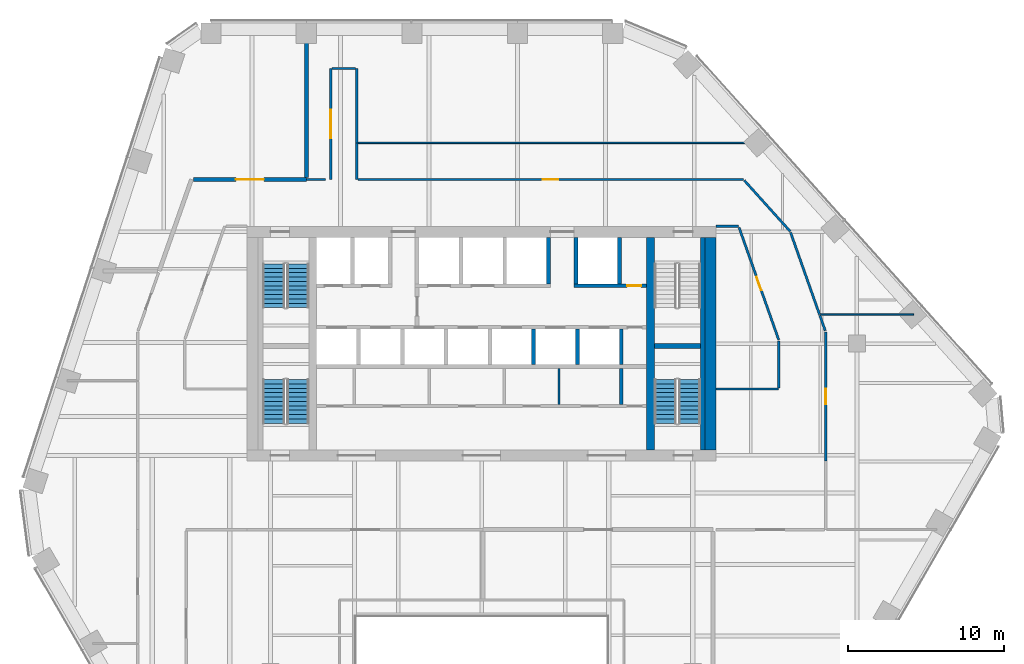
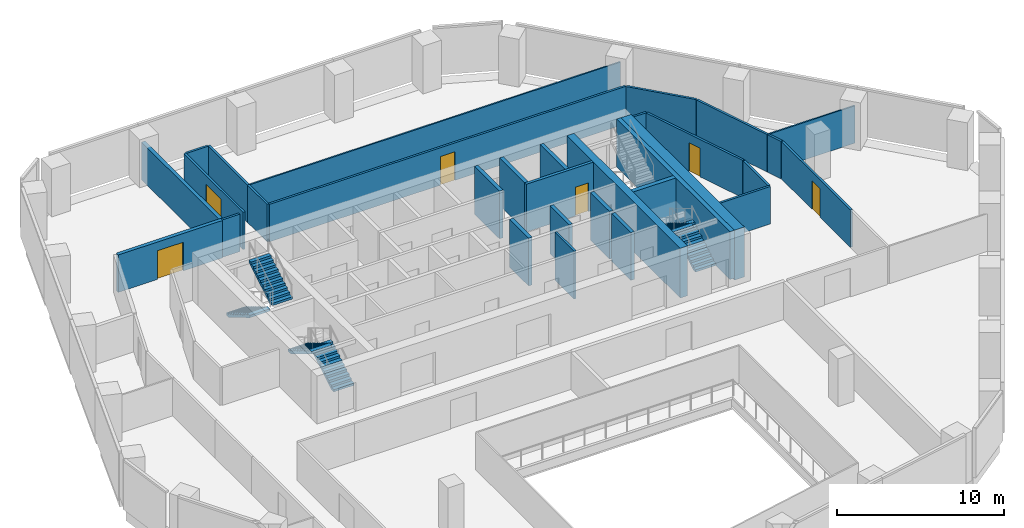
# One storey, part 13 of 17: 31 walls, 6 doors, 6 stair flights, 6 openings, 3 elements without a shape of their own.
"""IFC4 building model written with IfcOpenShell, lengths in metres."""

from ifc_helpers import new_model, si_unit, direction, frame, frame_2d, origin, place, context, subcontext, project, spatial, polyline, rectangle, outline, extrude, material, layer, layer_set, type_object, element, fill, aggregate, save


model = new_model("IFC4")

# Units and contexts
model_context = context("Model", 3, precision=1e-05, world=origin(), true_north=direction((0.0, 1.0)))
body_context = subcontext(model_context, "Body", "Model", "MODEL_VIEW")
ifc_project = project(units=[si_unit("LENGTHUNIT", "METRE"), si_unit("AREAUNIT", "SQUARE_METRE"), si_unit("VOLUMEUNIT", "CUBIC_METRE"), si_unit("PLANEANGLEUNIT", "RADIAN"), si_unit("MASSUNIT", "GRAM", prefix="KILO")], contexts=[model_context])

# Site, building, storey
site_placement = place(None, origin())
site = spatial("IfcSite", under=ifc_project, at=site_placement, CompositionType="ELEMENT")
building_placement = place(site_placement, origin())
building = spatial("IfcBuilding", under=site, at=building_placement, Name="Isthmus Gate Tower", CompositionType="ELEMENT")
storey_placement = place(building_placement, frame((0.0, 0.0, 181.75)))
storey = spatial("IfcBuildingStorey", under=building, at=storey_placement, Name="L45", CompositionType="ELEMENT", Elevation=181.75)

# Wall, opening, door
ifc_material_1 = material(Name="Double-leaf acoustic stud wall, fire-rated", Category="gypsum")
ifc_layer_1 = layer(ifc_material_1, 0.25)
ifc_layer_set_1 = layer_set([ifc_layer_1], Name="ACOUSTIC WALL 250 60 MIN")
wall_type_1 = type_object("IfcWallType", Name="ACOUSTIC WALL 250 60 MIN", PredefinedType="PARTITIONING", material=ifc_layer_set_1)
wall_1_placement = place(storey_placement, frame((-18.43603515625, 18.0, 0.0), z_axis=(0.0, 0.0, 1.0), x_axis=(1.0, 0.0, 0.0)))
wall_1 = element("IfcWall", 1, at=wall_1_placement, inside=storey, type_object=wall_type_1, Name="L45 Acoustic Wall 250 60 Min", PredefinedType="PARTITIONING", context=body_context, shape_type="SweptSolid", body=[
    extrude(rectangle(XDim=7.22412109375, YDim=0.25, at=frame_2d((3.612060546875, 0.0))), origin(), (0.0, 0.0, 1.0), 2.7412109375),
])
opening_1_placement = place(wall_1_placement, frame((2.7119140625, 0.0, 0.0)))
opening_1 = element("IfcOpeningElement", 2, at=opening_1_placement, cuts=wall_1, Name="Opening DT-T4B-02", PredefinedType="OPENING", context=body_context, shape_type="SweptSolid", body=[
    extrude(rectangle(XDim=1.800048828125, YDim=2.10009765625, at=frame_2d((0.89990234375, 1.050048828125))), frame((0.0, 0.135009765625, 0.0), z_axis=(0.0, -1.0, 0.0), x_axis=(1.0, 0.0, 0.0)), (0.0, 0.0, 1.0), 0.27001953125),
])
ifc_material_2 = material(Name="Solid core timber door leaf, fire-rated", Category="wood")
door_type_1 = type_object("IfcDoorType", Name="FIRE DOOR ACOUSTIC ROOM 1800 X 2100 60 MIN", OperationType="DOUBLE_DOOR_DOUBLE_SWING", PredefinedType="DOOR", material=ifc_material_2)
door_1_placement = place(opening_1_placement, origin())
door_1 = element("IfcDoor", 3, at=door_1_placement, inside=storey, type_object=door_type_1, Name="L45 room door", OperationType="DOUBLE_DOOR_DOUBLE_SWING", OverallHeight=2.10009765625, OverallWidth=1.800048828125, PredefinedType="DOOR", context=body_context, shape_type="SweptSolid", body=[
    extrude(rectangle(XDim=1.800048828125, YDim=2.10009765625, at=frame_2d((0.89990234375, 1.050048828125))), frame((0.0, 0.02490234375, 0.0), z_axis=(0.0, -1.0, 0.0), x_axis=(1.0, 0.0, 0.0)), (0.0, 0.0, 1.0), 0.050048828125),
])
fill(opening_1, door_1)

# Walls
wall_2_placement = place(storey_placement, frame((-11.2119140625, 18.125, 0.0), z_axis=(0.0, 0.0, 1.0), x_axis=(0.0, 1.0, 0.0)))
element("IfcWall", 4, at=wall_2_placement, inside=storey, type_object=wall_type_1, Name="L45 Acoustic Wall 250 60 Min", PredefinedType="PARTITIONING", context=body_context, shape_type="SweptSolid", body=[
    extrude(rectangle(XDim=9.27490234375, YDim=0.25, at=frame_2d((4.637451171875, 0.0))), origin(), (0.0, 0.0, 1.0), 2.7412109375),
])
ifc_material_3 = material(Name="Gypsum board on steel studs, fire-rated", Category="steel")
ifc_layer_2 = layer(ifc_material_3, 0.14990234375)
ifc_layer_set_2 = layer_set([ifc_layer_2], Name="CORRIDOR WALL 150 60 MIN")
wall_type_2 = type_object("IfcWallType", Name="CORRIDOR WALL 150 60 MIN", PredefinedType="PARTITIONING", material=ifc_layer_set_2)
wall_3_placement = place(storey_placement, frame((-8.0, 25.10009765625, 0.0), z_axis=(0.0, 0.0, 1.0), x_axis=(0.0, -1.0, 0.0)))
element("IfcWall", 5, at=wall_3_placement, inside=storey, type_object=wall_type_2, Name="L45 Corridor Wall 150 60 Min", PredefinedType="PARTITIONING", context=body_context, shape_type="SweptSolid", body=[
    extrude(rectangle(XDim=4.759033203125, YDim=0.14990234375, at=frame_2d((2.37939453125, 0.0))), origin(), (0.0, 0.0, 1.0), 2.7412109375),
])
wall_4_placement = place(storey_placement, frame((-8.0, 20.341064453125, 0.0), z_axis=(0.0, 0.0, 1.0), x_axis=(0.0, -1.0, 0.0)))
element("IfcWall", 6, at=wall_4_placement, inside=storey, type_object=wall_type_2, Name="L45 Corridor Wall 150 60 Min", PredefinedType="PARTITIONING", context=body_context, shape_type="SweptSolid", body=[
    extrude(rectangle(XDim=2.341064453125, YDim=0.14990234375, at=frame_2d((1.17041015625, 0.0))), origin(), (0.0, 0.0, 1.0), 2.7412109375),
])
wall_5_placement = place(storey_placement, frame((16.43896484375, 15.0, 0.0), z_axis=(0.0, 0.0, 1.0), x_axis=(-1.0, 0.0, 0.0)))
element("IfcWall", 7, at=wall_5_placement, inside=storey, type_object=wall_type_2, Name="L45 Corridor Wall 150 60 Min", PredefinedType="PARTITIONING", context=body_context, shape_type="SweptSolid", body=[
    extrude(rectangle(XDim=1.43896484375, YDim=0.14990234375, at=frame_2d((0.719482421875, 0.0))), origin(), (0.0, 0.0, 1.0), 2.7412109375),
])

# Wall, opening, door
wall_6_placement = place(storey_placement, frame((19.0, 7.742919921875, 0.0), z_axis=(0.0, 0.0, 1.0), x_axis=(-0.332768168026, 0.943008667165, 0.0)))
wall_6 = element("IfcWall", 8, at=wall_6_placement, inside=storey, type_object=wall_type_2, Name="L45 Corridor Wall 150 60 Min", PredefinedType="PARTITIONING", context=body_context, shape_type="SweptSolid", body=[
    extrude(rectangle(XDim=7.62060546875, YDim=0.14990234375, at=frame_2d((3.810302734375, 0.0))), origin(), (0.0, 0.0, 1.0), 2.7412109375),
])
opening_2_placement = place(wall_6_placement, frame((3.3603515625, 0.0, 0.0)))
opening_2 = element("IfcOpeningElement", 9, at=opening_2_placement, cuts=wall_6, Name="Opening DT-T4B-05", PredefinedType="OPENING", context=body_context, shape_type="SweptSolid", body=[
    extrude(rectangle(XDim=0.89990234375, YDim=2.10009765625, at=frame_2d((0.449951171875, 1.050048828125))), frame((0.0, 0.0849609375, 0.0), z_axis=(0.0, -1.0, 0.0), x_axis=(1.0, 0.0, 0.0)), (0.0, 0.0, 1.0), 0.169921875),
])
ifc_material_4 = material(Name="Solid core timber door leaf, fire-rated", Category="wood")
door_type_2 = type_object("IfcDoorType", Name="FIRE DOOR ROOM 900 X 2100 60 MIN", OperationType="SINGLE_SWING_LEFT", PredefinedType="DOOR", material=ifc_material_4)
door_2_placement = place(opening_2_placement, origin())
door_2 = element("IfcDoor", 10, at=door_2_placement, inside=storey, type_object=door_type_2, Name="L45 room door", OperationType="SINGLE_SWING_RIGHT", OverallHeight=2.10009765625, OverallWidth=0.89990234375, PredefinedType="DOOR", context=body_context, shape_type="SweptSolid", body=[
    extrude(rectangle(XDim=0.89990234375, YDim=2.10009765625, at=frame_2d((0.449951171875, 1.050048828125))), frame((0.0, 0.02490234375, 0.0), z_axis=(0.0, -1.0, 0.0), x_axis=(1.0, 0.0, 0.0)), (0.0, 0.0, 1.0), 0.050048828125),
])
fill(opening_2, door_2)

wall_7_placement = place(storey_placement, frame((22.0, 8.257080078125, 0.0), z_axis=(0.0, 0.0, 1.0), x_axis=(0.0, -1.0, 0.0)))
wall_7 = element("IfcWall", 11, at=wall_7_placement, inside=storey, type_object=wall_type_2, Name="L45 Corridor Wall 150 60 Min", PredefinedType="PARTITIONING", context=body_context, shape_type="SweptSolid", body=[
    extrude(rectangle(XDim=8.257080078125, YDim=0.14990234375, at=frame_2d((4.12841796875, 0.0))), origin(), (0.0, 0.0, 1.0), 2.7412109375),
])
opening_3_placement = place(wall_7_placement, frame((3.62841796875, 0.0, 0.0)))
opening_3 = element("IfcOpeningElement", 12, at=opening_3_placement, cuts=wall_7, Name="Opening DT-T4B-08", PredefinedType="OPENING", context=body_context, shape_type="SweptSolid", body=[
    extrude(rectangle(XDim=1.0, YDim=2.10009765625, at=frame_2d((0.5, 1.050048828125))), frame((0.0, 0.0849609375, 0.0), z_axis=(0.0, -1.0, 0.0), x_axis=(1.0, 0.0, 0.0)), (0.0, 0.0, 1.0), 0.169921875),
])
ifc_material_5 = material(Name="Solid core timber door leaf, fire-rated", Category="wood")
door_type_3 = type_object("IfcDoorType", Name="FIRE DOOR ROOM 1000 X 2100 60 MIN", OperationType="SINGLE_SWING_LEFT", PredefinedType="DOOR", material=ifc_material_5)
door_3_placement = place(opening_3_placement, origin())
door_3 = element("IfcDoor", 13, at=door_3_placement, inside=storey, type_object=door_type_3, Name="L45 room door", OperationType="SINGLE_SWING_RIGHT", OverallHeight=2.10009765625, OverallWidth=1.0, PredefinedType="DOOR", context=body_context, shape_type="SweptSolid", body=[
    extrude(rectangle(XDim=1.0, YDim=2.10009765625, at=frame_2d((0.5, 1.050048828125))), frame((0.0, 0.02490234375, 0.0), z_axis=(0.0, -1.0, 0.0), x_axis=(1.0, 0.0, 0.0)), (0.0, 0.0, 1.0), 0.050048828125),
])
fill(opening_3, door_3)

# Wall
wall_8_placement = place(storey_placement, frame((-11.2119140625, 18.0, 0.0), z_axis=(0.0, 0.0, 1.0), x_axis=(1.0, 0.0, 0.0)))
element("IfcWall", 14, at=wall_8_placement, inside=storey, type_object=wall_type_2, Name="L45 Corridor Wall 150 60 Min", PredefinedType="PARTITIONING", context=body_context, shape_type="SweptSolid", body=[
    extrude(rectangle(XDim=1.2099609375, YDim=0.14990234375, at=frame_2d((0.60498046875, 0.0))), origin(), (0.0, 0.0, 1.0), 2.7412109375),
])

# Wall, opening, door
wall_9_placement = place(storey_placement, frame((-9.659912109375, 17.998046875, 0.0), z_axis=(0.0, 0.0, 1.0), x_axis=(0.0, 1.0, 0.0)))
wall_9 = element("IfcWall", 15, at=wall_9_placement, inside=storey, type_object=wall_type_2, Name="L45 Corridor Wall 150 60 Min", PredefinedType="PARTITIONING", context=body_context, shape_type="SweptSolid", body=[
    extrude(rectangle(XDim=7.10205078125, YDim=0.14990234375, at=frame_2d((3.551025390625, 0.0))), origin(), (0.0, 0.0, 1.0), 2.7412109375),
])
opening_4_placement = place(wall_9_placement, frame((2.65087890625, 0.0, 0.0)))
opening_4 = element("IfcOpeningElement", 16, at=opening_4_placement, cuts=wall_9, Name="Opening DT-T4B-01", PredefinedType="OPENING", context=body_context, shape_type="SweptSolid", body=[
    extrude(rectangle(XDim=1.800048828125, YDim=2.10009765625, at=frame_2d((0.89990234375, 1.050048828125))), frame((0.0, 0.0849609375, 0.0), z_axis=(0.0, -1.0, 0.0), x_axis=(1.0, 0.0, 0.0)), (0.0, 0.0, 1.0), 0.169921875),
])
ifc_material_6 = material(Name="Solid core timber door leaf, fire-rated", Category="wood")
door_type_4 = type_object("IfcDoorType", Name="FIRE DOOR ROOM 1800 X 2100 60 MIN", OperationType="DOUBLE_DOOR_DOUBLE_SWING", PredefinedType="DOOR", material=ifc_material_6)
door_4_placement = place(opening_4_placement, origin())
door_4 = element("IfcDoor", 17, at=door_4_placement, inside=storey, type_object=door_type_4, Name="L45 room door", OperationType="DOUBLE_DOOR_DOUBLE_SWING", OverallHeight=2.10009765625, OverallWidth=1.800048828125, PredefinedType="DOOR", context=body_context, shape_type="SweptSolid", body=[
    extrude(rectangle(XDim=1.800048828125, YDim=2.10009765625, at=frame_2d((0.89990234375, 1.050048828125))), frame((0.0, 0.02490234375, 0.0), z_axis=(0.0, -1.0, 0.0), x_axis=(1.0, 0.0, 0.0)), (0.0, 0.0, 1.0), 0.050048828125),
])
fill(opening_4, door_4)

# Wall
wall_10_placement = place(storey_placement, frame((-9.5849609375, 25.10009765625, 0.0), z_axis=(0.0, 0.0, 1.0), x_axis=(1.0, 0.0, 0.0)))
element("IfcWall", 18, at=wall_10_placement, inside=storey, type_object=wall_type_2, Name="L45 Corridor Wall 150 60 Min", PredefinedType="PARTITIONING", context=body_context, shape_type="SweptSolid", body=[
    extrude(rectangle(XDim=1.510009765625, YDim=0.14990234375, at=frame_2d((0.7548828125, 0.0))), origin(), (0.0, 0.0, 1.0), 2.7412109375),
])

# Wall, opening, door
wall_11_placement = place(storey_placement, frame((-7.925048828125, 18.0, 0.0), z_axis=(0.0, 0.0, 1.0), x_axis=(1.0, 0.0, 0.0)))
wall_11 = element("IfcWall", 19, at=wall_11_placement, inside=storey, type_object=wall_type_2, Name="L45 Corridor Wall 150 60 Min", PredefinedType="PARTITIONING", context=body_context, shape_type="SweptSolid", body=[
    extrude(rectangle(XDim=24.670166015625, YDim=0.14990234375, at=frame_2d((12.3349609375, 0.0))), origin(), (0.0, 0.0, 1.0), 2.7412109375),
])
opening_5_placement = place(wall_11_placement, frame((11.8349609375, 0.0, 0.0)))
opening_5 = element("IfcOpeningElement", 20, at=opening_5_placement, cuts=wall_11, Name="Opening DT-T4B-03", PredefinedType="OPENING", context=body_context, shape_type="SweptSolid", body=[
    extrude(rectangle(XDim=1.0, YDim=2.10009765625, at=frame_2d((0.5, 1.050048828125))), frame((0.0, 0.0849609375, 0.0), z_axis=(0.0, -1.0, 0.0), x_axis=(1.0, 0.0, 0.0)), (0.0, 0.0, 1.0), 0.169921875),
])
door_5_placement = place(opening_5_placement, origin())
door_5 = element("IfcDoor", 21, at=door_5_placement, inside=storey, type_object=door_type_3, Name="L45 room door", OperationType="SINGLE_SWING_RIGHT", OverallHeight=2.10009765625, OverallWidth=1.0, PredefinedType="DOOR", context=body_context, shape_type="SweptSolid", body=[
    extrude(rectangle(XDim=1.0, YDim=2.10009765625, at=frame_2d((0.5, 1.050048828125))), frame((0.0, 0.02490234375, 0.0), z_axis=(0.0, -1.0, 0.0), x_axis=(1.0, 0.0, 0.0)), (0.0, 0.0, 1.0), 0.050048828125),
])
fill(opening_5, door_5)

# Walls
wall_12_placement = place(storey_placement, frame((16.795166015625, 17.9443359375, 0.0), z_axis=(0.0, 0.0, 1.0), x_axis=(0.66903540409, -0.743230534945, 0.0)))
element("IfcWall", 22, at=wall_12_placement, inside=storey, type_object=wall_type_2, Name="L45 Corridor Wall 150 60 Min", PredefinedType="PARTITIONING", context=body_context, shape_type="SweptSolid", body=[
    extrude(rectangle(XDim=4.3896484375, YDim=0.14990234375, at=frame_2d((2.19482421875, 0.0))), origin(), (0.0, 0.0, 1.0), 2.7412109375),
])
wall_13_placement = place(storey_placement, frame((19.757080078125, 14.611328125, 0.0), z_axis=(0.0, 0.0, 1.0), x_axis=(0.332898037941, -0.942962828713, 0.0)))
element("IfcWall", 23, at=wall_13_placement, inside=storey, type_object=wall_type_2, Name="L45 Corridor Wall 150 60 Min", PredefinedType="PARTITIONING", context=body_context, shape_type="SweptSolid", body=[
    extrude(rectangle(XDim=5.572265625, YDim=0.14990234375, at=frame_2d((2.7861328125, 0.0))), origin(), (0.0, 0.0, 1.0), 2.7412109375),
])
wall_14_placement = place(storey_placement, frame((15.0, 4.60009765625, 0.0), z_axis=(0.0, 0.0, 1.0), x_axis=(1.0, 0.0, 0.0)))
element("IfcWall", 24, at=wall_14_placement, inside=storey, type_object=wall_type_2, Name="L45 Corridor Wall 150 60 Min", PredefinedType="PARTITIONING", context=body_context, shape_type="SweptSolid", body=[
    extrude(rectangle(XDim=4.0, YDim=0.14990234375, at=frame_2d((2.0, 0.0))), origin(), (0.0, 0.0, 1.0), 2.7412109375),
])
wall_15_placement = place(storey_placement, frame((19.0, 4.675048828125, 0.0), z_axis=(0.0, 0.0, 1.0), x_axis=(0.0, 1.0, 0.0)))
element("IfcWall", 25, at=wall_15_placement, inside=storey, type_object=wall_type_2, Name="L45 Corridor Wall 150 60 Min", PredefinedType="PARTITIONING", context=body_context, shape_type="SweptSolid", body=[
    extrude(rectangle(XDim=2.992919921875, YDim=0.14990234375, at=frame_2d((1.49658203125, 0.0))), origin(), (0.0, 0.0, 1.0), 2.7412109375),
])
wall_16_placement = place(storey_placement, frame((21.628662109375, 9.309814453125, 0.0), z_axis=(0.0, 0.0, 1.0), x_axis=(0.33263618507, -0.943055230823, 0.0)))
element("IfcWall", 26, at=wall_16_placement, inside=storey, type_object=wall_type_2, Name="L45 Corridor Wall 150 60 Min", PredefinedType="PARTITIONING", context=body_context, shape_type="SweptSolid", body=[
    extrude(rectangle(XDim=1.04150390625, YDim=0.14990234375, at=frame_2d((0.520751953125, 0.0))), origin(), (0.0, 0.0, 1.0), 2.7412109375),
])
ifc_material_7 = material(Name="Concrete f'c 60 MPa", Category="concrete")
ifc_layer_3 = layer(ifc_material_7, 0.5)
ifc_layer_set_3 = layer_set([ifc_layer_3], Name="RC CORE SPINE WALL 500 F'C 60")
wall_type_3 = type_object("IfcWallType", Name="RC CORE SPINE WALL 500 F'C 60", PredefinedType="SOLIDWALL", material=ifc_layer_set_3)
wall_17_placement = place(storey_placement, frame((10.800048828125, 0.699951171875, -0.14990234375), z_axis=(0.0, 0.0, 1.0), x_axis=(0.0, 1.0, 0.0)))
element("IfcWall", 27, at=wall_17_placement, inside=storey, type_object=wall_type_3, Name="str-corewall-L45-SPE", PredefinedType="SOLIDWALL", context=body_context, shape_type="SweptSolid", body=[
    extrude(rectangle(XDim=13.60009765625, YDim=0.5, at=frame_2d((6.800048828125, 0.0))), origin(), (0.0, 0.0, 1.0), 3.64990234375),
])
ifc_material_8 = material(Name="Concrete f'c 60 MPa", Category="concrete")
ifc_layer_4 = layer(ifc_material_8, 0.699951171875)
ifc_layer_set_4 = layer_set([ifc_layer_4], Name="RC CORE WALL 700 F'C 60")
wall_type_4 = type_object("IfcWallType", Name="RC CORE WALL 700 F'C 60", PredefinedType="SOLIDWALL", material=ifc_layer_set_4)
wall_18_placement = place(storey_placement, frame((14.64990234375, 0.699951171875, -0.14990234375), z_axis=(0.0, 0.0, 1.0), x_axis=(0.0, 1.0, 0.0)))
element("IfcWall", 28, at=wall_18_placement, inside=storey, type_object=wall_type_4, Name="str-corewall-L45-E", PredefinedType="SOLIDWALL", context=body_context, shape_type="SweptSolid", body=[
    extrude(rectangle(XDim=13.60009765625, YDim=0.699951171875, at=frame_2d((6.800048828125, 0.0))), origin(), (0.0, 0.0, 1.0), 3.64990234375),
])
ifc_material_9 = material(Name="Gypsum board on steel studs, fire-rated", Category="steel")
ifc_layer_5 = layer(ifc_material_9, 0.10009765625)
ifc_layer_set_5 = layer_set([ifc_layer_5], Name="ROOM PARTITION 100 30 MIN")
wall_type_5 = type_object("IfcWallType", Name="ROOM PARTITION 100 30 MIN", PredefinedType="PARTITIONING", material=ifc_layer_set_5)
wall_19_placement = place(storey_placement, frame((-7.925048828125, 20.341064453125, 0.0), z_axis=(0.0, 0.0, 1.0), x_axis=(1.0, 0.0, 0.0)))
element("IfcWall", 29, at=wall_19_placement, inside=storey, type_object=wall_type_5, Name="L45 Room Partition 100 30 Min", PredefinedType="PARTITIONING", context=body_context, shape_type="SweptSolid", body=[
    extrude(rectangle(XDim=25.656005859375, YDim=0.10009765625, at=frame_2d((12.828125, 0.0))), origin(), (0.0, 0.0, 1.0), 2.7412109375),
])
wall_20_placement = place(storey_placement, frame((21.68701171875, 9.35693359375, 0.0), z_axis=(0.0, 0.0, 1.0), x_axis=(1.0, 0.0, 0.0)))
element("IfcWall", 30, at=wall_20_placement, inside=storey, type_object=wall_type_5, Name="L45 Room Partition 100 30 Min", PredefinedType="PARTITIONING", context=body_context, shape_type="SweptSolid", body=[
    extrude(rectangle(XDim=5.93505859375, YDim=0.10009765625, at=frame_2d((2.967529296875, 0.0))), origin(), (0.0, 0.0, 1.0), 2.7412109375),
])
ifc_material_10 = material(Name="Gypsum board on steel studs, fire-rated", Category="steel")
ifc_layer_6 = layer(ifc_material_10, 0.14990234375)
ifc_layer_set_6 = layer_set([ifc_layer_6], Name="ROOM PARTITION 150 60 MIN")
wall_type_6 = type_object("IfcWallType", Name="ROOM PARTITION 150 60 MIN", PredefinedType="PARTITIONING", material=ifc_layer_set_6)
wall_21_placement = place(storey_placement, frame((4.949951171875, 3.60009765625, 0.0), z_axis=(0.0, 0.0, 1.0), x_axis=(0.0, 1.0, 0.0)))
element("IfcWall", 31, at=wall_21_placement, inside=storey, type_object=wall_type_6, Name="L45 ROOM PARTITION 150 60 MIN", PredefinedType="PARTITIONING", context=body_context, shape_type="SweptSolid", body=[
    extrude(rectangle(XDim=2.2998046875, YDim=0.14990234375, at=frame_2d((1.14990234375, 0.0))), origin(), (0.0, 0.0, 1.0), 3.5),
])

# Wall, opening, door
ifc_material_11 = material(Name="Fire-rated blockwork masonry, 15 MPa", Category="masonry")
ifc_layer_7 = layer(ifc_material_11, 0.199951171875)
ifc_layer_set_7 = layer_set([ifc_layer_7], Name="SHAFT FRONT WALL 200 120 MIN")
wall_type_7 = type_object("IfcWallType", Name="SHAFT FRONT WALL 200 120 MIN", PredefinedType="PARTITIONING", material=ifc_layer_set_7)
wall_22_placement = place(storey_placement, frame((5.89990234375, 11.199951171875, 0.0), z_axis=(0.0, 0.0, 1.0), x_axis=(1.0, 0.0, 0.0)))
wall_22 = element("IfcWall", 32, at=wall_22_placement, inside=storey, type_object=wall_type_7, Name="L45 SHAFT FRONT WALL 200 120 MIN", PredefinedType="PARTITIONING", context=body_context, shape_type="SweptSolid", body=[
    extrude(rectangle(XDim=4.650146484375, YDim=0.199951171875, at=frame_2d((2.3251953125, 0.0))), origin(), (0.0, 0.0, 1.0), 3.5),
])
opening_6_placement = place(wall_22_placement, frame((3.39990234375, 0.0, 0.0)))
opening_6 = element("IfcOpeningElement", 33, at=opening_6_placement, cuts=wall_22, Name="Opening DC-A12-09", PredefinedType="OPENING", context=body_context, shape_type="SweptSolid", body=[
    extrude(rectangle(XDim=0.89990234375, YDim=2.10009765625, at=frame_2d((0.449951171875, 1.050048828125))), frame((0.0, 0.10986328125, 0.0), z_axis=(0.0, -1.0, 0.0), x_axis=(1.0, 0.0, 0.0)), (0.0, 0.0, 1.0), 0.219970703125),
])
ifc_material_12 = material(Name="Steel door leaf, fire-rated", Category="steel")
door_type_5 = type_object("IfcDoorType", Name="RISER FIRE DOOR 900 X 2100 90 MIN", OperationType="SINGLE_SWING_LEFT", PredefinedType="DOOR", material=ifc_material_12)
door_6_placement = place(opening_6_placement, origin())
door_6 = element("IfcDoor", 34, at=door_6_placement, inside=storey, type_object=door_type_5, Name="Riser Door", OperationType="SINGLE_SWING_LEFT", OverallHeight=2.10009765625, OverallWidth=0.89990234375, PredefinedType="DOOR", context=body_context, shape_type="SweptSolid", body=[
    extrude(rectangle(XDim=0.89990234375, YDim=2.10009765625, at=frame_2d((0.449951171875, 1.050048828125))), frame((0.0, 0.02490234375, 0.0), z_axis=(0.0, -1.0, 0.0), x_axis=(1.0, 0.0, 0.0)), (0.0, 0.0, 1.0), 0.050048828125),
])
fill(opening_6, door_6)

# Walls
ifc_material_13 = material(Name="Fire-rated blockwork masonry, 15 MPa", Category="masonry")
ifc_layer_8 = layer(ifc_material_13, 0.25)
ifc_layer_set_8 = layer_set([ifc_layer_8], Name="SHAFT WALL 250 120 MIN")
wall_type_8 = type_object("IfcWallType", Name="SHAFT WALL 250 120 MIN", PredefinedType="PARTITIONING", material=ifc_layer_set_8)
wall_23_placement = place(storey_placement, frame((8.925048828125, 3.60009765625, 0.0), z_axis=(0.0, 0.0, 1.0), x_axis=(0.0, 1.0, 0.0)))
element("IfcWall", 35, at=wall_23_placement, inside=storey, type_object=wall_type_8, Name="L45 SHAFT WALL 250 120 MIN", PredefinedType="PARTITIONING", context=body_context, shape_type="SweptSolid", body=[
    extrude(rectangle(XDim=2.2998046875, YDim=0.25, at=frame_2d((1.14990234375, 0.0))), origin(), (0.0, 0.0, 1.0), 3.5),
])
for number, where, z_axis, x_axis, name in (
    (36, (3.324951171875, 6.14990234375, 0.0), (0.0, 0.0, 1.0), (0.0, 1.0, 0.0), "L45 SHAFT WALL 250 120 MIN"),
    (37, (6.125, 6.14990234375, 0.0), (0.0, 0.0, 1.0), (0.0, 1.0, 0.0), "L45 SHAFT WALL 250 120 MIN"),
    (38, (8.925048828125, 6.14990234375, 0.0), (0.0, 0.0, 1.0), (0.0, 1.0, 0.0), "L45 SHAFT WALL 250 120 MIN"),
):
    element("IfcWall", number, at=place(storey_placement, frame(where, z_axis=z_axis, x_axis=x_axis)), inside=storey, type_object=wall_type_8, Name=name, PredefinedType="PARTITIONING", context=body_context, shape_type="SweptSolid", body=[
        extrude(rectangle(XDim=2.300048828125, YDim=0.25, at=frame_2d((1.14990234375, 0.0))), origin(), (0.0, 0.0, 1.0), 3.5),
    ])
for number, where, z_axis, x_axis, name in (
    (39, (4.27490234375, 11.300048828125, 0.0), (0.0, 0.0, 1.0), (0.0, 1.0, 0.0), "L45 SHAFT WALL 250 120 MIN"),
    (40, (6.02490234375, 11.300048828125, 0.0), (0.0, 0.0, 1.0), (0.0, 1.0, 0.0), "L45 SHAFT WALL 250 120 MIN"),
    (41, (8.824951171875, 11.300048828125, 0.0), (0.0, 0.0, 1.0), (0.0, 1.0, 0.0), "L45 SHAFT WALL 250 120 MIN"),
):
    element("IfcWall", number, at=place(storey_placement, frame(where, z_axis=z_axis, x_axis=x_axis)), inside=storey, type_object=wall_type_8, Name=name, PredefinedType="PARTITIONING", context=body_context, shape_type="SweptSolid", body=[
        extrude(rectangle(XDim=3.0, YDim=0.25, at=frame_2d((1.5, 0.0))), origin(), (0.0, 0.0, 1.0), 3.5),
    ])
ifc_material_14 = material(Name="Concrete f'c 40 MPa", Category="concrete")
ifc_layer_9 = layer(ifc_material_14, 0.300048828125)
ifc_layer_set_9 = layer_set([ifc_layer_9], Name="STAIR ENCLOSURE WALL 300 180 MIN")
wall_type_9 = type_object("IfcWallType", Name="STAIR ENCLOSURE WALL 300 180 MIN", PredefinedType="SOLIDWALL", material=ifc_layer_set_9)
wall_24_placement = place(storey_placement, frame((11.050048828125, 7.35009765625, 0.0), z_axis=(0.0, 0.0, 1.0), x_axis=(1.0, 0.0, 0.0)))
element("IfcWall", 42, at=wall_24_placement, inside=storey, type_object=wall_type_9, Name="L45 STAIR ENCLOSURE WALL 300 180 MIN", PredefinedType="SOLIDWALL", context=body_context, shape_type="SweptSolid", body=[
    extrude(rectangle(XDim=2.949951171875, YDim=0.300048828125, at=frame_2d((1.47509765625, 0.0))), origin(), (0.0, 0.0, 1.0), 3.5),
])
wall_25_placement = place(storey_placement, frame((14.14990234375, 0.699951171875, 0.0), z_axis=(0.0, 0.0, 1.0), x_axis=(0.0, 1.0, 0.0)))
element("IfcWall", 43, at=wall_25_placement, inside=storey, type_object=wall_type_9, Name="L45 STAIR ENCLOSURE WALL 300 180 MIN", PredefinedType="SOLIDWALL", context=body_context, shape_type="SweptSolid", body=[
    extrude(rectangle(XDim=13.60009765625, YDim=0.300048828125, at=frame_2d((6.800048828125, 0.0))), origin(), (0.0, 0.0, 1.0), 3.5),
])

# Stair, stair flights
ifc_material_15 = material(Name="Concrete f'c 40 MPa", Category="concrete")
stair_type = type_object("IfcStairType", Name="CORE STAIR 22 RISERS", PredefinedType="HALF_TURN_STAIR", material=ifc_material_15)
stair_1_placement = place(storey_placement, origin())
stair_1 = element("IfcStair", 44, at=stair_1_placement, inside=storey, type_object=stair_type, Name="L45 Exit Stair 1", PredefinedType="HALF_TURN_STAIR")
ifc_material_16 = material(Name="Concrete f'c 40 MPa", Category="concrete")
stair_flight_type = type_object("IfcStairFlightType", Name="STAIR FLIGHT RC 1400", PredefinedType="STRAIGHT", material=ifc_material_16)
stair_flight_1_placement = place(storey_placement, frame((-13.300048828125, 12.60009765625, 0.0), z_axis=(0.0, 0.0, 1.0), x_axis=(0.0, -1.0, 0.0)))
stair_flight_1 = element("IfcStairFlight", 45, at=stair_flight_1_placement, type_object=stair_flight_type, Name="ST1 flight 1", NumberOfRisers=11, NumberOfTreads=10, PredefinedType="STRAIGHT", RiserHeight=0.165909091, TreadLength=0.28, context=body_context, shape_type="SweptSolid", body=[
    extrude(outline(polyline([(0.0, 0.0), (0.0, 0.166015625), (0.280029296875, 0.166015625), (0.280029296875, 0.331787109375), (0.56005859375, 0.331787109375), (0.56005859375, 0.497802734375), (0.840087890625, 0.497802734375), (0.840087890625, 0.66357421875), (1.1201171875, 0.66357421875), (1.1201171875, 0.82958984375), (1.39990234375, 0.82958984375), (1.39990234375, 0.995361328125), (1.679931640625, 0.995361328125), (1.679931640625, 1.161376953125), (1.9599609375, 1.161376953125), (1.9599609375, 1.327392578125), (2.239990234375, 1.327392578125), (2.239990234375, 1.4931640625), (2.52001953125, 1.4931640625), (2.52001953125, 1.6591796875), (2.800048828125, 1.6591796875), (2.800048828125, 1.824951171875), (2.800048828125, 1.48486328125), (0.2939453125, 0.0), (0.0, 0.0)])), frame((0.0, 0.699951171875, 0.0), z_axis=(0.0, -1.0, 0.0), x_axis=(1.0, 0.0, 0.0)), (0.0, 0.0, 1.0), 1.39990234375),
])
stair_flight_2_placement = place(storey_placement, frame((-11.75, 9.800048828125, 1.824951171875), z_axis=(0.0, 0.0, 1.0), x_axis=(0.0, 1.0, 0.0)))
stair_flight_2 = element("IfcStairFlight", 46, at=stair_flight_2_placement, type_object=stair_flight_type, Name="ST1 flight 2", NumberOfRisers=11, NumberOfTreads=10, PredefinedType="STRAIGHT", RiserHeight=0.165909091, TreadLength=0.28, context=body_context, shape_type="SweptSolid", body=[
    extrude(outline(polyline([(0.0, 0.0), (0.0, 0.166015625), (0.280029296875, 0.166015625), (0.280029296875, 0.331787109375), (0.56005859375, 0.331787109375), (0.56005859375, 0.497802734375), (0.840087890625, 0.497802734375), (0.840087890625, 0.66357421875), (1.1201171875, 0.66357421875), (1.1201171875, 0.82958984375), (1.39990234375, 0.82958984375), (1.39990234375, 0.995361328125), (1.679931640625, 0.995361328125), (1.679931640625, 1.161376953125), (1.9599609375, 1.161376953125), (1.9599609375, 1.327392578125), (2.239990234375, 1.327392578125), (2.239990234375, 1.4931640625), (2.52001953125, 1.4931640625), (2.52001953125, 1.6591796875), (2.800048828125, 1.6591796875), (2.800048828125, 1.824951171875), (2.800048828125, 1.48486328125), (0.2939453125, 0.0), (0.0, 0.0)])), frame((0.0, 0.699951171875, 0.0), z_axis=(0.0, -1.0, 0.0), x_axis=(1.0, 0.0, 0.0)), (0.0, 0.0, 1.0), 1.39990234375),
])
aggregate(stair_1, [stair_flight_1, stair_flight_2])

stair_2_placement = place(storey_placement, origin())
stair_2 = element("IfcStair", 47, at=stair_2_placement, inside=storey, type_object=stair_type, Name="L45 Exit Stair 7", PredefinedType="HALF_TURN_STAIR")
stair_flight_3_placement = place(storey_placement, frame((-11.75, 2.39990234375, 0.0), z_axis=(0.0, 0.0, 1.0), x_axis=(0.0, 1.0, 0.0)))
stair_flight_3 = element("IfcStairFlight", 48, at=stair_flight_3_placement, type_object=stair_flight_type, Name="ST7 flight 1", NumberOfRisers=11, NumberOfTreads=10, PredefinedType="STRAIGHT", RiserHeight=0.165909091, TreadLength=0.28, context=body_context, shape_type="SweptSolid", body=[
    extrude(outline(polyline([(0.0, 0.0), (0.0, 0.166015625), (0.280029296875, 0.166015625), (0.280029296875, 0.331787109375), (0.56005859375, 0.331787109375), (0.56005859375, 0.497802734375), (0.840087890625, 0.497802734375), (0.840087890625, 0.66357421875), (1.1201171875, 0.66357421875), (1.1201171875, 0.82958984375), (1.39990234375, 0.82958984375), (1.39990234375, 0.995361328125), (1.679931640625, 0.995361328125), (1.679931640625, 1.161376953125), (1.9599609375, 1.161376953125), (1.9599609375, 1.327392578125), (2.239990234375, 1.327392578125), (2.239990234375, 1.4931640625), (2.52001953125, 1.4931640625), (2.52001953125, 1.6591796875), (2.800048828125, 1.6591796875), (2.800048828125, 1.824951171875), (2.800048828125, 1.48486328125), (0.2939453125, 0.0), (0.0, 0.0)])), frame((0.0, 0.699951171875, 0.0), z_axis=(0.0, -1.0, 0.0), x_axis=(1.0, 0.0, 0.0)), (0.0, 0.0, 1.0), 1.39990234375),
])
stair_flight_4_placement = place(storey_placement, frame((-13.300048828125, 5.199951171875, 1.824951171875), z_axis=(0.0, 0.0, 1.0), x_axis=(0.0, -1.0, 0.0)))
stair_flight_4 = element("IfcStairFlight", 49, at=stair_flight_4_placement, type_object=stair_flight_type, Name="ST7 flight 2", NumberOfRisers=11, NumberOfTreads=10, PredefinedType="STRAIGHT", RiserHeight=0.165909091, TreadLength=0.28, context=body_context, shape_type="SweptSolid", body=[
    extrude(outline(polyline([(0.0, 0.0), (0.0, 0.166015625), (0.280029296875, 0.166015625), (0.280029296875, 0.331787109375), (0.56005859375, 0.331787109375), (0.56005859375, 0.497802734375), (0.840087890625, 0.497802734375), (0.840087890625, 0.66357421875), (1.1201171875, 0.66357421875), (1.1201171875, 0.82958984375), (1.39990234375, 0.82958984375), (1.39990234375, 0.995361328125), (1.679931640625, 0.995361328125), (1.679931640625, 1.161376953125), (1.9599609375, 1.161376953125), (1.9599609375, 1.327392578125), (2.239990234375, 1.327392578125), (2.239990234375, 1.4931640625), (2.52001953125, 1.4931640625), (2.52001953125, 1.6591796875), (2.800048828125, 1.6591796875), (2.800048828125, 1.824951171875), (2.800048828125, 1.48486328125), (0.2939453125, 0.0), (0.0, 0.0)])), frame((0.0, 0.699951171875, 0.0), z_axis=(0.0, -1.0, 0.0), x_axis=(1.0, 0.0, 0.0)), (0.0, 0.0, 1.0), 1.39990234375),
])
aggregate(stair_2, [stair_flight_3, stair_flight_4])

stair_3_placement = place(storey_placement, origin())
stair_3 = element("IfcStair", 50, at=stair_3_placement, inside=storey, type_object=stair_type, Name="L45 Exit Stair 8", PredefinedType="HALF_TURN_STAIR")
stair_flight_5_placement = place(storey_placement, frame((13.300048828125, 2.39990234375, 0.0), z_axis=(0.0, 0.0, 1.0), x_axis=(0.0, 1.0, 0.0)))
stair_flight_5 = element("IfcStairFlight", 51, at=stair_flight_5_placement, type_object=stair_flight_type, Name="ST8 flight 1", NumberOfRisers=11, NumberOfTreads=10, PredefinedType="STRAIGHT", RiserHeight=0.165909091, TreadLength=0.28, context=body_context, shape_type="SweptSolid", body=[
    extrude(outline(polyline([(0.0, 0.0), (0.0, 0.166015625), (0.280029296875, 0.166015625), (0.280029296875, 0.331787109375), (0.56005859375, 0.331787109375), (0.56005859375, 0.497802734375), (0.840087890625, 0.497802734375), (0.840087890625, 0.66357421875), (1.1201171875, 0.66357421875), (1.1201171875, 0.82958984375), (1.39990234375, 0.82958984375), (1.39990234375, 0.995361328125), (1.679931640625, 0.995361328125), (1.679931640625, 1.161376953125), (1.9599609375, 1.161376953125), (1.9599609375, 1.327392578125), (2.239990234375, 1.327392578125), (2.239990234375, 1.4931640625), (2.52001953125, 1.4931640625), (2.52001953125, 1.6591796875), (2.800048828125, 1.6591796875), (2.800048828125, 1.824951171875), (2.800048828125, 1.48486328125), (0.2939453125, 0.0), (0.0, 0.0)])), frame((0.0, 0.699951171875, 0.0), z_axis=(0.0, -1.0, 0.0), x_axis=(1.0, 0.0, 0.0)), (0.0, 0.0, 1.0), 1.39990234375),
])
stair_flight_6_placement = place(storey_placement, frame((11.75, 5.199951171875, 1.824951171875), z_axis=(0.0, 0.0, 1.0), x_axis=(0.0, -1.0, 0.0)))
stair_flight_6 = element("IfcStairFlight", 52, at=stair_flight_6_placement, type_object=stair_flight_type, Name="ST8 flight 2", NumberOfRisers=11, NumberOfTreads=10, PredefinedType="STRAIGHT", RiserHeight=0.165909091, TreadLength=0.28, context=body_context, shape_type="SweptSolid", body=[
    extrude(outline(polyline([(0.0, 0.0), (0.0, 0.166015625), (0.280029296875, 0.166015625), (0.280029296875, 0.331787109375), (0.56005859375, 0.331787109375), (0.56005859375, 0.497802734375), (0.840087890625, 0.497802734375), (0.840087890625, 0.66357421875), (1.1201171875, 0.66357421875), (1.1201171875, 0.82958984375), (1.39990234375, 0.82958984375), (1.39990234375, 0.995361328125), (1.679931640625, 0.995361328125), (1.679931640625, 1.161376953125), (1.9599609375, 1.161376953125), (1.9599609375, 1.327392578125), (2.239990234375, 1.327392578125), (2.239990234375, 1.4931640625), (2.52001953125, 1.4931640625), (2.52001953125, 1.6591796875), (2.800048828125, 1.6591796875), (2.800048828125, 1.824951171875), (2.800048828125, 1.48486328125), (0.2939453125, 0.0), (0.0, 0.0)])), frame((0.0, 0.699951171875, 0.0), z_axis=(0.0, -1.0, 0.0), x_axis=(1.0, 0.0, 0.0)), (0.0, 0.0, 1.0), 1.39990234375),
])
aggregate(stair_3, [stair_flight_5, stair_flight_6])

save(model, "model.ifc")
